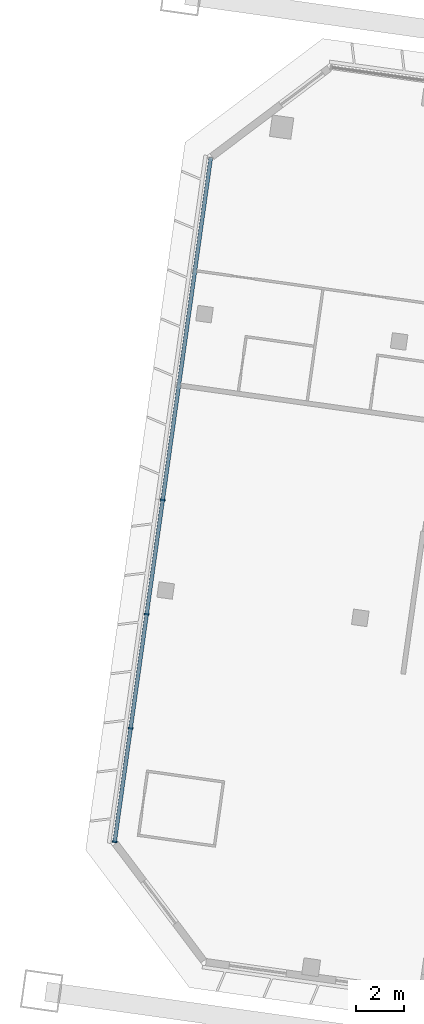
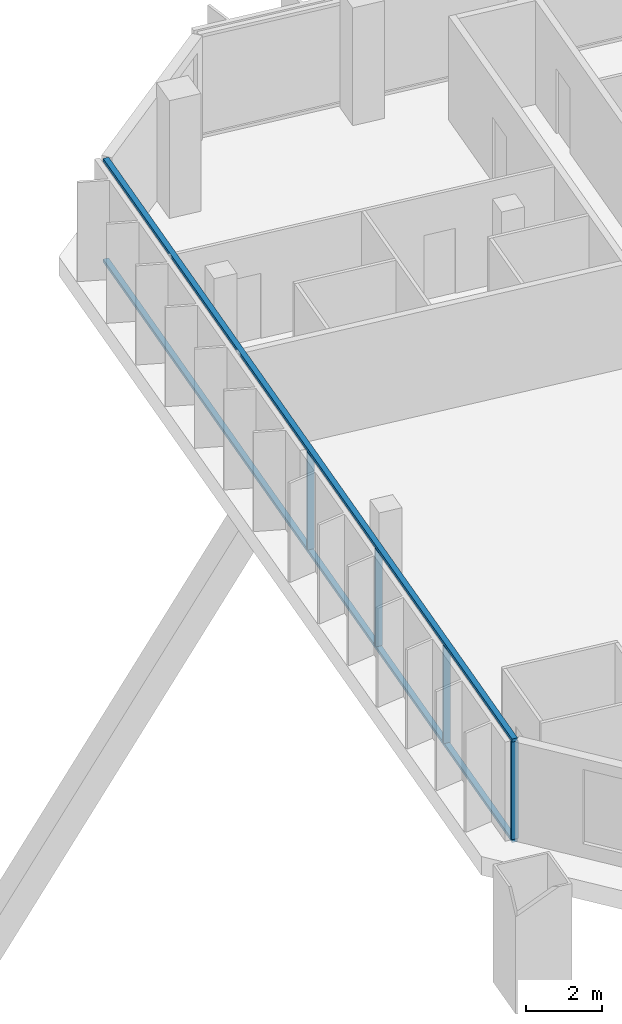
# One storey, part 2 of 41: 6 members, 1 element without a shape of its own.
"""IFC4 building model written with IfcOpenShell, lengths in metres."""

from ifc_helpers import new_model, si_unit, direction, frame, origin, origin_2d, place, context, subcontext, project, spatial, rectangle, extrude, material, material_profile, profile_set, type_object, element, aggregate, save


model = new_model("IFC4")

# Units and contexts
model_context = context("Model", 3, precision=1e-05, world=origin(), true_north=direction((0.0, 1.0)))
body_context = subcontext(model_context, "Body", "Model", "MODEL_VIEW")
ifc_project = project(units=[si_unit("LENGTHUNIT", "METRE"), si_unit("AREAUNIT", "SQUARE_METRE"), si_unit("VOLUMEUNIT", "CUBIC_METRE"), si_unit("PLANEANGLEUNIT", "RADIAN"), si_unit("MASSUNIT", "GRAM", prefix="KILO")], contexts=[model_context])

# Site, building, storey
site_placement = place(None, origin())
site = spatial("IfcSite", under=ifc_project, at=site_placement, CompositionType="ELEMENT")
building_placement = place(site_placement, origin())
building = spatial("IfcBuilding", under=site, at=building_placement, Name="Mirante Cascada Hotel Towers", CompositionType="ELEMENT")
storey_placement = place(building_placement, frame((0.0, 0.0, 125.3)))
storey = spatial("IfcBuildingStorey", under=building, at=storey_placement, Name="L28", CompositionType="ELEMENT", Elevation=125.3)

# Curtain wall, members
ifc_material_1 = material(Name="Aluminium mullion and transom frame with clear laminated glass", Category="aluminium")
curtain_wall_type = type_object("IfcCurtainWallType", Name="End ribbon curtain wall ECW2", PredefinedType="NOTDEFINED", material=ifc_material_1)
curtain_wall_placement = place(storey_placement, origin())
curtain_wall = element("IfcCurtainWall", 1, at=curtain_wall_placement, inside=storey, type_object=curtain_wall_type, Name="Outer end wall T1 L28", PredefinedType="NOTDEFINED")
ifc_material_2 = material(Name="Anodised aluminium extrusion", Category="aluminium")
ifc_material_profile_1 = material_profile(ifc_material_2, rectangle(XDim=0.2, YDim=0.065, at=origin_2d()), Name="ECW2 MULLION 65x200")
ifc_profile_set_1 = profile_set([ifc_material_profile_1], Name="Anodised aluminium extrusion")
member_type_1 = type_object("IfcMemberType", Name="ECW2 mullion 65x200", PredefinedType="MULLION", material=ifc_profile_set_1)
member_1_placement = place(storey_placement, frame((-103.1556, -6.2656, 0.1), z_axis=(0.0, 0.0, 1.0), x_axis=(-0.9902681, 0.1391731, 0.0)))
member_1 = element("IfcMember", 2, at=member_1_placement, type_object=member_type_1, Name="ECW2 mullion 1", PredefinedType="MULLION", context=body_context, shape_type="SweptSolid", body=[
    extrude(rectangle(XDim=0.2, YDim=0.065, at=origin_2d()), origin(), (0.0, 0.0, 1.0), 3.15),
])
member_2_placement = place(storey_placement, frame((-102.4903, -1.532, 0.1), z_axis=(0.0, 0.0, 1.0), x_axis=(-0.9902681, 0.1391731, 0.0)))
member_2 = element("IfcMember", 3, at=member_2_placement, type_object=member_type_1, Name="ECW2 mullion 2", PredefinedType="MULLION", context=body_context, shape_type="SweptSolid", body=[
    extrude(rectangle(XDim=0.2, YDim=0.065, at=origin_2d()), origin(), (0.0, 0.0, 1.0), 3.15),
])
member_3_placement = place(storey_placement, frame((-101.8205, 3.2338, 0.1), z_axis=(0.0, 0.0, 1.0), x_axis=(-0.9902681, 0.1391731, 0.0)))
member_3 = element("IfcMember", 4, at=member_3_placement, type_object=member_type_1, Name="ECW2 mullion 3", PredefinedType="MULLION", context=body_context, shape_type="SweptSolid", body=[
    extrude(rectangle(XDim=0.2, YDim=0.065, at=origin_2d()), origin(), (0.0, 0.0, 1.0), 3.15),
])
member_4_placement = place(storey_placement, frame((-101.1508, 7.9996, 0.1), z_axis=(0.0, 0.0, 1.0), x_axis=(-0.9902681, 0.1391731, 0.0)))
member_4 = element("IfcMember", 5, at=member_4_placement, type_object=member_type_1, Name="ECW2 mullion 4", PredefinedType="MULLION", context=body_context, shape_type="SweptSolid", body=[
    extrude(rectangle(XDim=0.2, YDim=0.065, at=origin_2d()), origin(), (0.0, 0.0, 1.0), 3.15),
])
ifc_material_3 = material(Name="Anodised aluminium extrusion", Category="aluminium")
ifc_material_profile_2 = material_profile(ifc_material_3, rectangle(XDim=0.16, YDim=0.1, at=origin_2d()), Name="ECW2 TRANSOM 100x160")
ifc_profile_set_2 = profile_set([ifc_material_profile_2], Name="Anodised aluminium extrusion")
member_type_2 = type_object("IfcMemberType", Name="ECW2 transom 100x160", PredefinedType="USERDEFINED", material=ifc_profile_set_2)
member_5_placement = place(storey_placement, frame((-103.1601, -6.2978, 0.05), z_axis=(0.1391723, 0.9902682, 0.0), x_axis=(-0.9902682, 0.1391723, 0.0)))
member_5 = element("IfcMember", 6, at=member_5_placement, type_object=member_type_2, Name="ECW2 sill transom", ObjectType="TRANSOM", PredefinedType="USERDEFINED", context=body_context, shape_type="SweptSolid", body=[
    extrude(rectangle(XDim=0.16, YDim=0.1, at=origin_2d()), origin(), (0.0, 0.0, 1.0), 28.8757),
])
member_6_placement = place(storey_placement, frame((-103.1601, -6.2978, 3.3), z_axis=(0.1391723, 0.9902682, 0.0), x_axis=(-0.9902682, 0.1391723, 0.0)))
member_6 = element("IfcMember", 7, at=member_6_placement, type_object=member_type_2, Name="ECW2 head transom", ObjectType="TRANSOM", PredefinedType="USERDEFINED", context=body_context, shape_type="SweptSolid", body=[
    extrude(rectangle(XDim=0.16, YDim=0.1, at=origin_2d()), origin(), (0.0, 0.0, 1.0), 28.8757),
])
aggregate(curtain_wall, [member_5, member_6, member_1, member_2, member_3, member_4])

save(model, "model.ifc")
